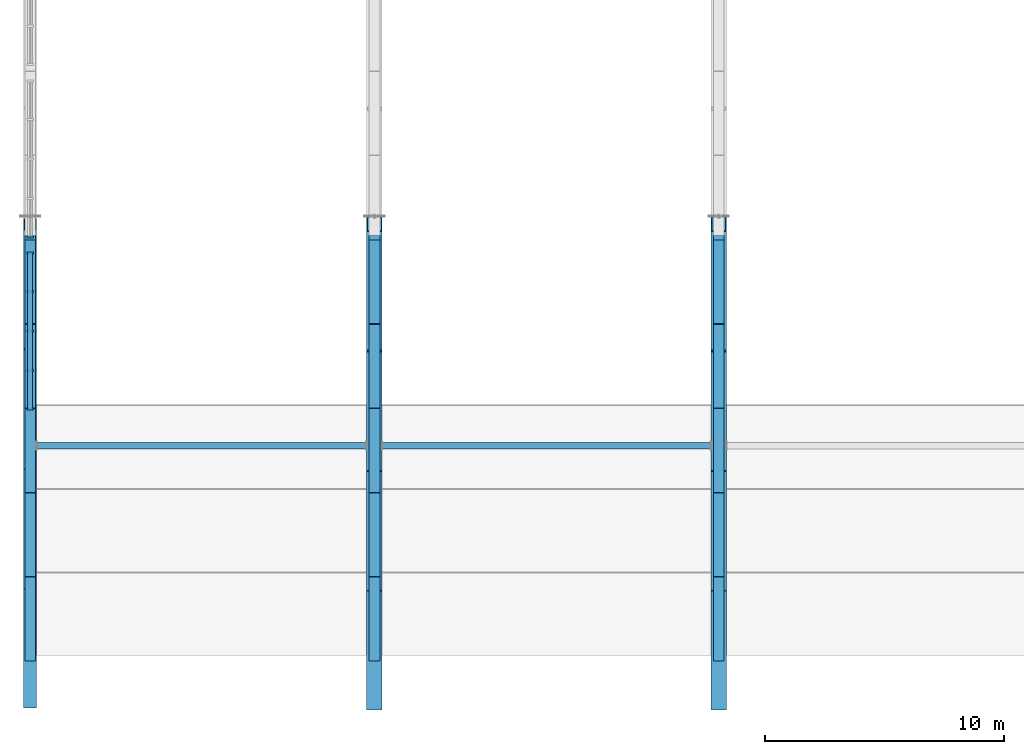
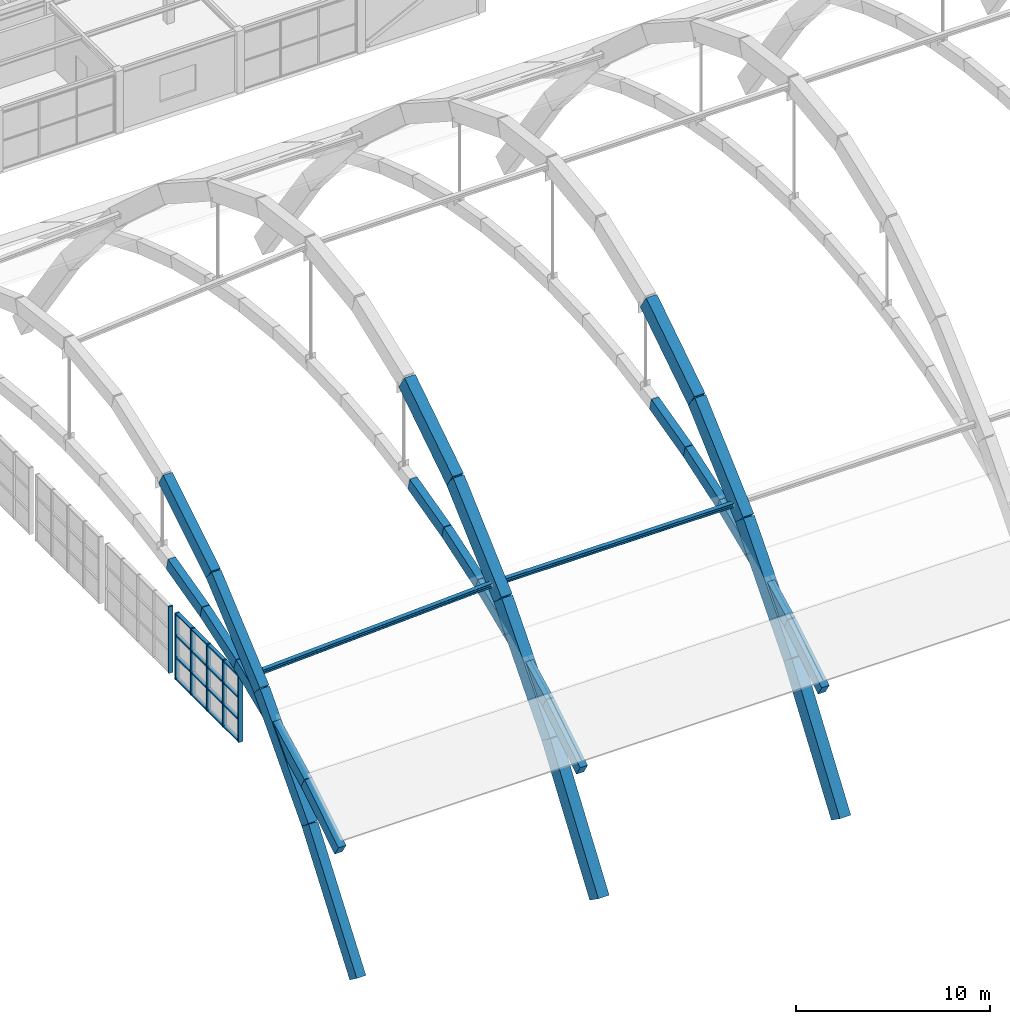
# One storey, part 3 of 64: 24 members, 15 beams, 2 elements without a shape of their own.
"""IFC4 building model written with IfcOpenShell, lengths in metres."""

import ifcopenshell
import ifcopenshell.guid

model = None  # the IFC model being written
_history = None  # IfcOwnerHistory: only IFC2X3 demands one
_inside = {}  # id of a spatial element -> (the spatial element, [elements in it])
_under = {}  # id of a project, library or spatial element -> (it, [spatial elements below it])
_declared = {}  # id of a project -> (the project, [libraries it declares])
_typed = {}  # id of a type object -> (the type object, [elements of that type])
_made_of = {}  # id of a material, layer set ... -> (it, [elements and type objects made of it])


def new_model(schema):
    """Start an empty IFC model of exactly this schema.

    Asked for "IFC4X3", IfcOpenShell would pick the latest addendum, in which some entities
    have other attributes; the version numbers below select the first issue.
    IFC2X3 requires an IfcOwnerHistory on every rooted entity: one is made here for all.
    """
    global model, _history
    if schema == "IFC4X3":
        model = ifcopenshell.file(schema_version=(4, 3, 0, 0))
    else:
        model = ifcopenshell.file(schema=schema)
    _inside.clear()
    _under.clear()
    _declared.clear()
    _typed.clear()
    _made_of.clear()
    _history = None
    if model.schema == "IFC2X3":
        org = make("IfcOrganization", Name="unknown")
        user = make(
            "IfcPersonAndOrganization",
            ThePerson=make("IfcPerson", FamilyName="unknown"),
            TheOrganization=org,
        )
        app = make(
            "IfcApplication",
            ApplicationDeveloper=org,
            Version="unknown",
            ApplicationFullName="unknown",
            ApplicationIdentifier="unknown",
        )
        _history = make(
            "IfcOwnerHistory",
            OwningUser=user,
            OwningApplication=app,
            ChangeAction="ADDED",
            CreationDate=0,
        )
    return model


def make(cls, **values):
    """One entity of the class cls with the attributes given. An attribute that is None is left unset."""
    return model.create_entity(
        cls, **{name: value for name, value in values.items() if value is not None}
    )


def rooted(cls, **values):
    """An entity with a GlobalId (a new one), such as an element, a storey or a relation."""
    return make(cls, GlobalId=ifcopenshell.guid.new(), OwnerHistory=_history, **values)


def si_unit(unit_type, name, prefix=None):
    """IfcSIUnit, for example si_unit("LENGTHUNIT", "METRE", prefix="MILLI")."""
    return make("IfcSIUnit", UnitType=unit_type, Prefix=prefix, Name=name)


def assignment(units):
    """IfcUnitAssignment: the units of a project."""
    return None if units is None else make("IfcUnitAssignment", Units=units)


def point(xyz):
    """IfcCartesianPoint."""
    return None if xyz is None else make("IfcCartesianPoint", Coordinates=xyz)


def direction(xyz):
    """IfcDirection."""
    return None if xyz is None else make("IfcDirection", DirectionRatios=xyz)


def frame(location, z_axis=None, x_axis=None):
    """IfcAxis2Placement3D, a coordinate frame: its origin and axes. An axis left out is left unset."""
    return make(
        "IfcAxis2Placement3D",
        Location=point(location),
        Axis=direction(z_axis),
        RefDirection=direction(x_axis),
    )


def frame_2d(location, x_axis=None):
    """IfcAxis2Placement2D, a coordinate frame in the plane: its origin and x axis."""
    return make(
        "IfcAxis2Placement2D", Location=point(location), RefDirection=direction(x_axis)
    )


def origin():
    """The frame at (0, 0, 0) with its axes left unset."""
    return frame((0.0, 0.0, 0.0))


def origin_2d():
    """The frame at (0, 0) in the plane with its x axis left unset."""
    return frame_2d((0.0, 0.0))


def place(relative_to, where):
    """IfcLocalPlacement: puts the frame where relative to a parent placement (None: the world)."""
    return make(
        "IfcLocalPlacement", PlacementRelTo=relative_to, RelativePlacement=where
    )


def context(
    kind, dimensions, precision=None, world=None, true_north=None, identifier=None
):
    """IfcGeometricRepresentationContext, for example the 3D "Model" context."""
    return make(
        "IfcGeometricRepresentationContext",
        ContextIdentifier=identifier,
        ContextType=kind,
        CoordinateSpaceDimension=dimensions,
        Precision=precision,
        WorldCoordinateSystem=world,
        TrueNorth=true_north,
    )


def subcontext(parent, identifier, kind, view, scale=None):
    """IfcGeometricRepresentationSubContext, for example "Body" below "Model"."""
    return make(
        "IfcGeometricRepresentationSubContext",
        ContextIdentifier=identifier,
        ContextType=kind,
        ParentContext=parent,
        TargetScale=scale,
        TargetView=view,
    )


def project(units=None, contexts=None):
    """IfcProject with its units and contexts."""
    return rooted(
        "IfcProject",
        Name="project",
        RepresentationContexts=contexts,
        UnitsInContext=assignment(units),
    )


def spatial(cls, under=None, at=None, **own):
    """A site, building, storey or space (cls), placed at a placement, below another one or the project."""
    s = rooted(cls, ObjectPlacement=at, **own)
    if under is not None:
        _under.setdefault(under.id(), (under, []))[1].append(s)
    return s


def profile(cls, at=None, kind="AREA", **sizes):
    """A parametric profile (cls). Its sizes go by their IFC names, for example OverallWidth=200.0."""
    return make(cls, ProfileType=kind, Position=at, **sizes)


def rectangle(**sizes):
    """IfcRectangleProfileDef."""
    return profile("IfcRectangleProfileDef", **sizes)


def hollow_rectangle(**sizes):
    """IfcRectangleHollowProfileDef."""
    return profile("IfcRectangleHollowProfileDef", **sizes)


def i_section(**sizes):
    """IfcIShapeProfileDef."""
    return profile("IfcIShapeProfileDef", **sizes)


def extrude(swept, where, along, depth):
    """IfcExtrudedAreaSolid: the profile swept, set in the frame where, extruded along a direction by depth."""
    return make(
        "IfcExtrudedAreaSolid",
        SweptArea=swept,
        Position=where,
        ExtrudedDirection=direction(along),
        Depth=depth,
    )


def shape(context_of_items, identifier, shape_type, items):
    """IfcShapeRepresentation: the items that make up one representation, for example the "Body"."""
    return make(
        "IfcShapeRepresentation",
        ContextOfItems=context_of_items,
        RepresentationIdentifier=identifier,
        RepresentationType=shape_type,
        Items=items,
    )


def material(Name=None, Category=None):
    """IfcMaterial."""
    return make("IfcMaterial", Name=Name, Category=Category)


def material_profile(
    of_material, cross_section, Name=None, Category=None, Priority=None
):
    """IfcMaterialProfile: a cross section and its material."""
    return make(
        "IfcMaterialProfile",
        Name=Name,
        Material=of_material,
        Profile=cross_section,
        Priority=Priority,
        Category=Category,
    )


def profile_set(profiles, Name=None, composite=None):
    """IfcMaterialProfileSet."""
    return make(
        "IfcMaterialProfileSet",
        Name=Name,
        MaterialProfiles=profiles,
        CompositeProfile=composite,
    )


def made_of(thing, what):
    """Note that an element or type object is made of a material, layer set ...; save() writes the relation."""
    if what is not None:
        _made_of.setdefault(what.id(), (what, []))[1].append(thing)
    return thing


def type_object(cls, material=None, **own):
    """A type object (cls), such as IfcWallType, which elements share."""
    return made_of(rooted(cls, **own), material)


def element(
    cls,
    number,
    at=None,
    inside=None,
    cuts=None,
    type_object=None,
    material=None,
    context=None,
    identifier="Body",
    shape_type=None,
    held_by="IfcProductDefinitionShape",
    body=None,
    shapes=None,
    **own,
):
    """One element of the class cls, such as IfcWall. Its Tag is "e" and its number.

    at: its placement. inside: the storey or other place that contains it. cuts: it is an
    opening in that element (IfcRelVoidsElement). A single representation is given by context,
    identifier, shape_type and body (its items); several are given by shapes. held_by: the class
    of the entity that holds the representations. save() writes the other relations.
    """
    e = rooted(cls, Tag="e%d" % number, ObjectPlacement=at, **own)
    if body is not None:
        shapes = [shape(context, identifier, shape_type, body)]
    if shapes is not None:
        e.Representation = make(held_by, Representations=shapes)
    if inside is not None:
        _inside.setdefault(inside.id(), (inside, []))[1].append(e)
    if cuts is not None:
        rooted(
            "IfcRelVoidsElement", RelatingBuildingElement=cuts, RelatedOpeningElement=e
        )
    if type_object is not None:
        _typed.setdefault(type_object.id(), (type_object, []))[1].append(e)
    return made_of(e, material)


def aggregate(whole, parts):
    """IfcRelAggregates: a whole, such as a stair, and the parts it consists of."""
    return rooted("IfcRelAggregates", RelatingObject=whole, RelatedObjects=parts)


def save(model, path):
    """Write the relations noted so far, then the file.

    IfcRelAggregates (storeys below a building ...), IfcRelContainedInSpatialStructure (elements
    in a storey), IfcRelDefinesByType, IfcRelAssociatesMaterial and IfcRelDeclares: one each for
    every whole, place, type object, material and project.
    """
    for whole, parts in _under.values():
        aggregate(whole, parts)
    for where, things in _inside.values():
        rooted(
            "IfcRelContainedInSpatialStructure",
            RelatedElements=things,
            RelatingStructure=where,
        )
    for kind, things in _typed.values():
        rooted("IfcRelDefinesByType", RelatedObjects=things, RelatingType=kind)
    for what, things in _made_of.values():
        rooted("IfcRelAssociatesMaterial", RelatedObjects=things, RelatingMaterial=what)
    for by, libraries in _declared.values():
        rooted("IfcRelDeclares", RelatingContext=by, RelatedDefinitions=libraries)
    model.write(path)


model = new_model("IFC4")

# Units and contexts
model_context = context("Model", 3, precision=1e-05, world=origin(), true_north=direction((0.0, 1.0)))
body_context = subcontext(model_context, "Body", "Model", "MODEL_VIEW")
ifc_project = project(units=[si_unit("LENGTHUNIT", "METRE"), si_unit("AREAUNIT", "SQUARE_METRE"), si_unit("VOLUMEUNIT", "CUBIC_METRE"), si_unit("PLANEANGLEUNIT", "RADIAN"), si_unit("MASSUNIT", "GRAM", prefix="KILO")], contexts=[model_context])

# Site, building, storey
site_placement = place(None, origin())
site = spatial("IfcSite", under=ifc_project, at=site_placement, CompositionType="ELEMENT")
building_placement = place(site_placement, origin())
building = spatial("IfcBuilding", under=site, at=building_placement, Name="Leyfeld Transit Interchange", CompositionType="ELEMENT")
storey_placement = place(building_placement, frame((0.0, 0.0, 9.60009765625)))
storey = spatial("IfcBuildingStorey", under=building, at=storey_placement, Name="L02", CompositionType="ELEMENT", Elevation=9.60009765625)

# Beams
ifc_material_1 = material(Name="Concrete C40/50", Category="concrete")
ifc_material_profile_1 = material_profile(ifc_material_1, rectangle(XDim=0.449951171875, YDim=0.75, at=origin_2d()), Name="RC 750x450 RIB")
ifc_profile_set_1 = profile_set([ifc_material_profile_1], Name="Concrete C40/50")
beam_type = type_object("IfcBeamType", Name="BM-RIB-750x450", PredefinedType="USERDEFINED", material=ifc_profile_set_1)
beam_1_placement = place(storey_placement, frame((0.0, 4.39990234375, -1.135009765625), z_axis=(0.0, 0.850840137882, 0.525424647089), x_axis=(-1.0, 0.0, 0.0)))
element("IfcBeam", 1, at=beam_1_placement, inside=storey, type_object=beam_type, Name="Concourse Vault Rib A1 Seg 1", ObjectType="ARCH_RIB", PredefinedType="USERDEFINED", context=body_context, shape_type="SweptSolid", body=[
    extrude(rectangle(XDim=0.449951171875, YDim=0.75, at=origin_2d()), origin(), (0.0, 0.0, 1.0), 4.113525390625),
])
beam_2_placement = place(storey_placement, frame((0.0, 7.89990234375, 1.0263671875), z_axis=(0.0, 0.890316086289, 0.455343020694), x_axis=(-1.0, 0.0, 0.0)))
element("IfcBeam", 2, at=beam_2_placement, inside=storey, type_object=beam_type, Name="Concourse Vault Rib A1 Seg 2", ObjectType="ARCH_RIB", PredefinedType="USERDEFINED", context=body_context, shape_type="SweptSolid", body=[
    extrude(rectangle(XDim=0.449951171875, YDim=0.75, at=origin_2d()), origin(), (0.0, 0.0, 1.0), 3.93115234375),
])
beam_3_placement = place(storey_placement, frame((0.0, 11.39990234375, 2.81640625), z_axis=(0.0, 0.922787193718, 0.385309998716), x_axis=(-1.0, 0.0, 0.0)))
element("IfcBeam", 3, at=beam_3_placement, inside=storey, type_object=beam_type, Name="Concourse Vault Rib A1 Seg 3", ObjectType="ARCH_RIB", PredefinedType="USERDEFINED", context=body_context, shape_type="SweptSolid", body=[
    extrude(rectangle(XDim=0.449951171875, YDim=0.75, at=origin_2d()), origin(), (0.0, 0.0, 1.0), 3.79296875),
])
beam_4_placement = place(storey_placement, frame((0.0, 14.89990234375, 4.27783203125), z_axis=(0.0, 0.949033570575, 0.315175002058), x_axis=(-1.0, 0.0, 0.0)))
element("IfcBeam", 4, at=beam_4_placement, inside=storey, type_object=beam_type, Name="Concourse Vault Rib A1 Seg 4", ObjectType="ARCH_RIB", PredefinedType="USERDEFINED", context=body_context, shape_type="SweptSolid", body=[
    extrude(rectangle(XDim=0.449951171875, YDim=0.75, at=origin_2d()), origin(), (0.0, 0.0, 1.0), 3.68798828125),
])
beam_5_placement = place(storey_placement, frame((0.0, 18.39990234375, 5.440185546875), z_axis=(0.0, 0.969486598247, 0.245144316312), x_axis=(-1.0, 0.0, 0.0)))
element("IfcBeam", 5, at=beam_5_placement, inside=storey, type_object=beam_type, Name="Concourse Vault Rib A1 Seg 5", ObjectType="ARCH_RIB", PredefinedType="USERDEFINED", context=body_context, shape_type="SweptSolid", body=[
    extrude(rectangle(XDim=0.449951171875, YDim=0.75, at=origin_2d()), origin(), (0.0, 0.0, 1.0), 3.610107421875),
])
beam_6_placement = place(storey_placement, frame((14.39990234375, 4.39990234375, -1.135009765625), z_axis=(0.0, 0.850840137882, 0.525424647089), x_axis=(-1.0, 0.0, 0.0)))
element("IfcBeam", 6, at=beam_6_placement, inside=storey, type_object=beam_type, Name="Concourse Vault Rib A2 Seg 1", ObjectType="ARCH_RIB", PredefinedType="USERDEFINED", context=body_context, shape_type="SweptSolid", body=[
    extrude(rectangle(XDim=0.449951171875, YDim=0.75, at=origin_2d()), origin(), (0.0, 0.0, 1.0), 4.113525390625),
])
beam_7_placement = place(storey_placement, frame((14.39990234375, 7.89990234375, 1.0263671875), z_axis=(0.0, 0.890316086289, 0.455343020694), x_axis=(-1.0, 0.0, 0.0)))
element("IfcBeam", 7, at=beam_7_placement, inside=storey, type_object=beam_type, Name="Concourse Vault Rib A2 Seg 2", ObjectType="ARCH_RIB", PredefinedType="USERDEFINED", context=body_context, shape_type="SweptSolid", body=[
    extrude(rectangle(XDim=0.449951171875, YDim=0.75, at=origin_2d()), origin(), (0.0, 0.0, 1.0), 3.93115234375),
])
beam_8_placement = place(storey_placement, frame((14.39990234375, 11.39990234375, 2.81640625), z_axis=(0.0, 0.922787193718, 0.385309998716), x_axis=(-1.0, 0.0, 0.0)))
element("IfcBeam", 8, at=beam_8_placement, inside=storey, type_object=beam_type, Name="Concourse Vault Rib A2 Seg 3", ObjectType="ARCH_RIB", PredefinedType="USERDEFINED", context=body_context, shape_type="SweptSolid", body=[
    extrude(rectangle(XDim=0.449951171875, YDim=0.75, at=origin_2d()), origin(), (0.0, 0.0, 1.0), 3.79296875),
])
beam_9_placement = place(storey_placement, frame((14.39990234375, 14.89990234375, 4.27783203125), z_axis=(0.0, 0.949033570575, 0.315175002058), x_axis=(-1.0, 0.0, 0.0)))
element("IfcBeam", 9, at=beam_9_placement, inside=storey, type_object=beam_type, Name="Concourse Vault Rib A2 Seg 4", ObjectType="ARCH_RIB", PredefinedType="USERDEFINED", context=body_context, shape_type="SweptSolid", body=[
    extrude(rectangle(XDim=0.449951171875, YDim=0.75, at=origin_2d()), origin(), (0.0, 0.0, 1.0), 3.68798828125),
])
beam_10_placement = place(storey_placement, frame((14.39990234375, 18.39990234375, 5.440185546875), z_axis=(0.0, 0.969486598247, 0.245144316312), x_axis=(-1.0, 0.0, 0.0)))
element("IfcBeam", 10, at=beam_10_placement, inside=storey, type_object=beam_type, Name="Concourse Vault Rib A2 Seg 5", ObjectType="ARCH_RIB", PredefinedType="USERDEFINED", context=body_context, shape_type="SweptSolid", body=[
    extrude(rectangle(XDim=0.449951171875, YDim=0.75, at=origin_2d()), origin(), (0.0, 0.0, 1.0), 3.610107421875),
])
beam_11_placement = place(storey_placement, frame((28.800048828125, 4.39990234375, -1.135009765625), z_axis=(0.0, 0.850840137882, 0.525424647089), x_axis=(-1.0, 0.0, 0.0)))
element("IfcBeam", 11, at=beam_11_placement, inside=storey, type_object=beam_type, Name="Concourse Vault Rib A3 Seg 1", ObjectType="ARCH_RIB", PredefinedType="USERDEFINED", context=body_context, shape_type="SweptSolid", body=[
    extrude(rectangle(XDim=0.449951171875, YDim=0.75, at=origin_2d()), origin(), (0.0, 0.0, 1.0), 4.113525390625),
])
beam_12_placement = place(storey_placement, frame((28.800048828125, 7.89990234375, 1.0263671875), z_axis=(0.0, 0.890316086289, 0.455343020694), x_axis=(-1.0, 0.0, 0.0)))
element("IfcBeam", 12, at=beam_12_placement, inside=storey, type_object=beam_type, Name="Concourse Vault Rib A3 Seg 2", ObjectType="ARCH_RIB", PredefinedType="USERDEFINED", context=body_context, shape_type="SweptSolid", body=[
    extrude(rectangle(XDim=0.449951171875, YDim=0.75, at=origin_2d()), origin(), (0.0, 0.0, 1.0), 3.93115234375),
])
beam_13_placement = place(storey_placement, frame((28.800048828125, 11.39990234375, 2.81640625), z_axis=(0.0, 0.922787193718, 0.385309998716), x_axis=(-1.0, 0.0, 0.0)))
element("IfcBeam", 13, at=beam_13_placement, inside=storey, type_object=beam_type, Name="Concourse Vault Rib A3 Seg 3", ObjectType="ARCH_RIB", PredefinedType="USERDEFINED", context=body_context, shape_type="SweptSolid", body=[
    extrude(rectangle(XDim=0.449951171875, YDim=0.75, at=origin_2d()), origin(), (0.0, 0.0, 1.0), 3.79296875),
])
beam_14_placement = place(storey_placement, frame((28.800048828125, 14.89990234375, 4.27783203125), z_axis=(0.0, 0.949033570575, 0.315175002058), x_axis=(-1.0, 0.0, 0.0)))
element("IfcBeam", 14, at=beam_14_placement, inside=storey, type_object=beam_type, Name="Concourse Vault Rib A3 Seg 4", ObjectType="ARCH_RIB", PredefinedType="USERDEFINED", context=body_context, shape_type="SweptSolid", body=[
    extrude(rectangle(XDim=0.449951171875, YDim=0.75, at=origin_2d()), origin(), (0.0, 0.0, 1.0), 3.68798828125),
])
beam_15_placement = place(storey_placement, frame((28.800048828125, 18.39990234375, 5.440185546875), z_axis=(0.0, 0.969486598247, 0.245144316312), x_axis=(-1.0, 0.0, 0.0)))
element("IfcBeam", 15, at=beam_15_placement, inside=storey, type_object=beam_type, Name="Concourse Vault Rib A3 Seg 5", ObjectType="ARCH_RIB", PredefinedType="USERDEFINED", context=body_context, shape_type="SweptSolid", body=[
    extrude(rectangle(XDim=0.449951171875, YDim=0.75, at=origin_2d()), origin(), (0.0, 0.0, 1.0), 3.610107421875),
])

# Curtain wall, members
ifc_material_2 = material(Name="Anodised aluminium EN AW-6060 T66", Category="aluminium")
curtain_wall_type = type_object("IfcCurtainWallType", Name="CW-SYS-GAB-7200", PredefinedType="NOTDEFINED", material=ifc_material_2)
curtain_wall_1_placement = place(storey_placement, origin())
curtain_wall_1 = element("IfcCurtainWall", 16, at=curtain_wall_1_placement, inside=storey, type_object=curtain_wall_type, Name="Curtain Wall CW-L02-GABW-01", PredefinedType="NOTDEFINED")
ifc_material_profile_2 = material_profile(ifc_material_2, rectangle(XDim=0.0849609375, YDim=0.260009765625, at=origin_2d()), Name="CW-M 85x260")
ifc_profile_set_2 = profile_set([ifc_material_profile_2], Name="Anodised aluminium EN AW-6060 T66")
member_type_1 = type_object("IfcMemberType", Name="CW-MUL-220x80", PredefinedType="MULLION", material=ifc_profile_set_2)
member_1_placement = place(storey_placement, frame((0.0, 14.742431640625, -0.60009765625), z_axis=(0.0, 0.0, 1.0), x_axis=(0.0, 1.0, 0.0)))
member_1 = element("IfcMember", 17, at=member_1_placement, type_object=member_type_1, Name="Curtain Mullion CW-L02-GABW-01-M01", PredefinedType="MULLION", context=body_context, shape_type="SweptSolid", body=[
    extrude(rectangle(XDim=0.0849609375, YDim=0.260009765625, at=origin_2d()), origin(), (0.0, 0.0, 1.0), 4.199951171875),
])
member_2_placement = place(storey_placement, frame((0.0, 16.35009765625, -0.60009765625), z_axis=(0.0, 0.0, 1.0), x_axis=(0.0, 1.0, 0.0)))
member_2 = element("IfcMember", 18, at=member_2_placement, type_object=member_type_1, Name="Curtain Mullion CW-L02-GABW-01-M02", PredefinedType="MULLION", context=body_context, shape_type="SweptSolid", body=[
    extrude(rectangle(XDim=0.0849609375, YDim=0.260009765625, at=origin_2d()), origin(), (0.0, 0.0, 1.0), 4.199951171875),
])
member_3_placement = place(storey_placement, frame((0.0, 18.0, -0.60009765625), z_axis=(0.0, 0.0, 1.0), x_axis=(0.0, 1.0, 0.0)))
member_3 = element("IfcMember", 19, at=member_3_placement, type_object=member_type_1, Name="Curtain Mullion CW-L02-GABW-01-M03", PredefinedType="MULLION", context=body_context, shape_type="SweptSolid", body=[
    extrude(rectangle(XDim=0.0849609375, YDim=0.260009765625, at=origin_2d()), origin(), (0.0, 0.0, 1.0), 4.199951171875),
])
member_4_placement = place(storey_placement, frame((0.0, 19.64990234375, -0.60009765625), z_axis=(0.0, 0.0, 1.0), x_axis=(0.0, 1.0, 0.0)))
member_4 = element("IfcMember", 20, at=member_4_placement, type_object=member_type_1, Name="Curtain Mullion CW-L02-GABW-01-M04", PredefinedType="MULLION", context=body_context, shape_type="SweptSolid", body=[
    extrude(rectangle(XDim=0.0849609375, YDim=0.260009765625, at=origin_2d()), origin(), (0.0, 0.0, 1.0), 4.199951171875),
])
member_5_placement = place(storey_placement, frame((0.0, 21.257568359375, -0.60009765625), z_axis=(0.0, 0.0, 1.0), x_axis=(0.0, 1.0, 0.0)))
member_5 = element("IfcMember", 21, at=member_5_placement, type_object=member_type_1, Name="Curtain Mullion CW-L02-GABW-01-M05", PredefinedType="MULLION", context=body_context, shape_type="SweptSolid", body=[
    extrude(rectangle(XDim=0.0849609375, YDim=0.260009765625, at=origin_2d()), origin(), (0.0, 0.0, 1.0), 4.199951171875),
])

# Curtain wall, member
curtain_wall_2_placement = place(storey_placement, origin())
curtain_wall_2 = element("IfcCurtainWall", 22, at=curtain_wall_2_placement, inside=storey, type_object=curtain_wall_type, Name="Curtain Wall CW-L02-GABW-02", PredefinedType="NOTDEFINED")
member_6_placement = place(storey_placement, frame((0.0, 21.9423828125, -0.60009765625), z_axis=(0.0, 0.0, 1.0), x_axis=(0.0, 1.0, 0.0)))
member_6 = element("IfcMember", 23, at=member_6_placement, type_object=member_type_1, Name="Curtain Mullion CW-L02-GABW-02-M01", PredefinedType="MULLION", context=body_context, shape_type="SweptSolid", body=[
    extrude(rectangle(XDim=0.0849609375, YDim=0.260009765625, at=origin_2d()), origin(), (0.0, 0.0, 1.0), 4.199951171875),
])
aggregate(curtain_wall_2, [member_6])

# Member
ifc_material_profile_3 = material_profile(ifc_material_2, rectangle(XDim=0.2099609375, YDim=0.0849609375, at=origin_2d()), Name="CW-TRN-200x80")
ifc_profile_set_3 = profile_set([ifc_material_profile_3], Name="Anodised aluminium EN AW-6060 T66")
member_type_2 = type_object("IfcMemberType", Name="CW-TRN-200x80", PredefinedType="USERDEFINED", material=ifc_profile_set_3)
member_7_placement = place(storey_placement, frame((0.0, 14.699951171875, -0.5576171875), z_axis=(0.0, 1.0, 0.0), x_axis=(-1.0, 0.0, 0.0)))
member_7 = element("IfcMember", 24, at=member_7_placement, type_object=member_type_2, Name="Curtain Transom CW-L02-GABW-01-T01", ObjectType="TRANSOM", PredefinedType="USERDEFINED", context=body_context, shape_type="SweptSolid", body=[
    extrude(rectangle(XDim=0.2099609375, YDim=0.0849609375, at=origin_2d()), origin(), (0.0, 0.0, 1.0), 6.60009765625),
])

member_8_placement = place(storey_placement, frame((0.0, 14.699951171875, 0.814208984375), z_axis=(0.0, 1.0, 0.0), x_axis=(-1.0, 0.0, 0.0)))
member_8 = element("IfcMember", 25, at=member_8_placement, type_object=member_type_2, Name="Curtain Transom CW-L02-GABW-01-T02", ObjectType="TRANSOM", PredefinedType="USERDEFINED", context=body_context, shape_type="SweptSolid", body=[
    extrude(rectangle(XDim=0.2099609375, YDim=0.0849609375, at=origin_2d()), origin(), (0.0, 0.0, 1.0), 6.60009765625),
])

member_9_placement = place(storey_placement, frame((0.0, 14.699951171875, 2.185791015625), z_axis=(0.0, 1.0, 0.0), x_axis=(-1.0, 0.0, 0.0)))
member_9 = element("IfcMember", 26, at=member_9_placement, type_object=member_type_2, Name="Curtain Transom CW-L02-GABW-01-T03", ObjectType="TRANSOM", PredefinedType="USERDEFINED", context=body_context, shape_type="SweptSolid", body=[
    extrude(rectangle(XDim=0.2099609375, YDim=0.0849609375, at=origin_2d()), origin(), (0.0, 0.0, 1.0), 6.60009765625),
])

member_10_placement = place(storey_placement, frame((0.0, 14.699951171875, 3.557373046875), z_axis=(0.0, 1.0, 0.0), x_axis=(-1.0, 0.0, 0.0)))
member_10 = element("IfcMember", 27, at=member_10_placement, type_object=member_type_2, Name="Curtain Transom CW-L02-GABW-01-T04", ObjectType="TRANSOM", PredefinedType="USERDEFINED", context=body_context, shape_type="SweptSolid", body=[
    extrude(rectangle(XDim=0.2099609375, YDim=0.0849609375, at=origin_2d()), origin(), (0.0, 0.0, 1.0), 6.60009765625),
])

aggregate(curtain_wall_1, [member_1, member_2, member_3, member_4, member_5, member_7, member_8, member_9, member_10])

# Members
ifc_material_3 = material(Name="Steel S355J2 - Ochre Arch", Category="steel")
ifc_material_profile_4 = material_profile(ifc_material_3, hollow_rectangle(XDim=0.64990234375, YDim=1.10009765625, WallThickness=0.035888671875, at=origin_2d()), Name="RHS 1100x650x36")
ifc_profile_set_4 = profile_set([ifc_material_profile_4], Name="Steel S355J2 - Ochre Arch")
member_type_3 = type_object("IfcMemberType", Name="MEM-ARCH-1100", PredefinedType="USERDEFINED", material=ifc_profile_set_4)
member_11_placement = place(storey_placement, frame((14.39990234375, 2.60009765625, -8.10009765625), z_axis=(0.0, 0.575459771691, 0.817830086977), x_axis=(-1.0, 0.0, 0.0)))
element("IfcMember", 28, at=member_11_placement, inside=storey, type_object=member_type_3, Name="Primary Steel Arch AR-01 Seg 1", ObjectType="ARCH_SEGMENT", PredefinedType="USERDEFINED", context=body_context, shape_type="SweptSolid", body=[
    extrude(hollow_rectangle(XDim=0.64990234375, YDim=1.10009765625, WallThickness=0.035888671875, at=origin_2d()), origin(), (0.0, 0.0, 1.0), 8.630615234375),
])
member_12_placement = place(storey_placement, frame((14.39990234375, 7.566650390625, -1.041748046875), z_axis=(0.0, 0.652049586975, 0.758176322583), x_axis=(-1.0, 0.0, 0.0)))
element("IfcMember", 29, at=member_12_placement, inside=storey, type_object=member_type_3, Name="Primary Steel Arch AR-01 Seg 2", ObjectType="ARCH_SEGMENT", PredefinedType="USERDEFINED", context=body_context, shape_type="SweptSolid", body=[
    extrude(hollow_rectangle(XDim=0.64990234375, YDim=1.10009765625, WallThickness=0.035888671875, at=origin_2d()), origin(), (0.0, 0.0, 1.0), 7.616943359375),
])
member_13_placement = place(storey_placement, frame((14.39990234375, 12.533203125, 4.733154296875), z_axis=(0.0, 0.741689498997, 0.670743383924), x_axis=(-1.0, 0.0, 0.0)))
element("IfcMember", 30, at=member_13_placement, inside=storey, type_object=member_type_3, Name="Primary Steel Arch AR-01 Seg 3", ObjectType="ARCH_SEGMENT", PredefinedType="USERDEFINED", context=body_context, shape_type="SweptSolid", body=[
    extrude(hollow_rectangle(XDim=0.64990234375, YDim=1.10009765625, WallThickness=0.035888671875, at=origin_2d()), origin(), (0.0, 0.0, 1.0), 6.696533203125),
])
member_14_placement = place(storey_placement, frame((14.39990234375, 17.5, 9.224853515625), z_axis=(0.0, 0.839979785282, 0.542617692596), x_axis=(-1.0, 0.0, 0.0)))
element("IfcMember", 31, at=member_14_placement, inside=storey, type_object=member_type_3, Name="Primary Steel Arch AR-01 Seg 4", ObjectType="ARCH_SEGMENT", PredefinedType="USERDEFINED", context=body_context, shape_type="SweptSolid", body=[
    extrude(hollow_rectangle(XDim=0.64990234375, YDim=1.10009765625, WallThickness=0.035888671875, at=origin_2d()), origin(), (0.0, 0.0, 1.0), 5.9130859375),
])
member_15_placement = place(storey_placement, frame((28.800048828125, 2.60009765625, -8.10009765625), z_axis=(0.0, 0.575459771691, 0.817830086977), x_axis=(-1.0, 0.0, 0.0)))
element("IfcMember", 32, at=member_15_placement, inside=storey, type_object=member_type_3, Name="Primary Steel Arch AR-02 Seg 1", ObjectType="ARCH_SEGMENT", PredefinedType="USERDEFINED", context=body_context, shape_type="SweptSolid", body=[
    extrude(hollow_rectangle(XDim=0.64990234375, YDim=1.10009765625, WallThickness=0.035888671875, at=origin_2d()), origin(), (0.0, 0.0, 1.0), 8.630615234375),
])
member_16_placement = place(storey_placement, frame((28.800048828125, 7.566650390625, -1.041748046875), z_axis=(0.0, 0.652049586975, 0.758176322583), x_axis=(-1.0, 0.0, 0.0)))
element("IfcMember", 33, at=member_16_placement, inside=storey, type_object=member_type_3, Name="Primary Steel Arch AR-02 Seg 2", ObjectType="ARCH_SEGMENT", PredefinedType="USERDEFINED", context=body_context, shape_type="SweptSolid", body=[
    extrude(hollow_rectangle(XDim=0.64990234375, YDim=1.10009765625, WallThickness=0.035888671875, at=origin_2d()), origin(), (0.0, 0.0, 1.0), 7.616943359375),
])
member_17_placement = place(storey_placement, frame((28.800048828125, 12.533203125, 4.733154296875), z_axis=(0.0, 0.741689498997, 0.670743383924), x_axis=(-1.0, 0.0, 0.0)))
element("IfcMember", 34, at=member_17_placement, inside=storey, type_object=member_type_3, Name="Primary Steel Arch AR-02 Seg 3", ObjectType="ARCH_SEGMENT", PredefinedType="USERDEFINED", context=body_context, shape_type="SweptSolid", body=[
    extrude(hollow_rectangle(XDim=0.64990234375, YDim=1.10009765625, WallThickness=0.035888671875, at=origin_2d()), origin(), (0.0, 0.0, 1.0), 6.696533203125),
])
member_18_placement = place(storey_placement, frame((28.800048828125, 17.5, 9.224853515625), z_axis=(0.0, 0.839979785282, 0.542617692596), x_axis=(-1.0, 0.0, 0.0)))
element("IfcMember", 35, at=member_18_placement, inside=storey, type_object=member_type_3, Name="Primary Steel Arch AR-02 Seg 4", ObjectType="ARCH_SEGMENT", PredefinedType="USERDEFINED", context=body_context, shape_type="SweptSolid", body=[
    extrude(hollow_rectangle(XDim=0.64990234375, YDim=1.10009765625, WallThickness=0.035888671875, at=origin_2d()), origin(), (0.0, 0.0, 1.0), 5.9130859375),
])
ifc_material_profile_5 = material_profile(ifc_material_3, hollow_rectangle(XDim=0.550048828125, YDim=0.89990234375, WallThickness=0.031982421875, at=origin_2d()), Name="RHS 900x550x32")
ifc_profile_set_5 = profile_set([ifc_material_profile_5], Name="Steel S355J2 - Ochre Arch")
member_type_4 = type_object("IfcMemberType", Name="MEM-ARCH-900", PredefinedType="USERDEFINED", material=ifc_profile_set_5)
member_19_placement = place(storey_placement, frame((0.0, 2.60009765625, -8.10009765625), z_axis=(0.0, 0.595984669324, 0.802995811901), x_axis=(-1.0, 0.0, 0.0)))
element("IfcMember", 36, at=member_19_placement, inside=storey, type_object=member_type_4, Name="Primary Steel Arch GP-W Seg 1", ObjectType="ARCH_SEGMENT", PredefinedType="USERDEFINED", context=body_context, shape_type="SweptSolid", body=[
    extrude(hollow_rectangle(XDim=0.550048828125, YDim=0.89990234375, WallThickness=0.031982421875, at=origin_2d()), origin(), (0.0, 0.0, 1.0), 8.333251953125),
])
member_20_placement = place(storey_placement, frame((0.0, 7.566650390625, -1.408447265625), z_axis=(0.0, 0.671888263197, 0.740652524318), x_axis=(-1.0, 0.0, 0.0)))
element("IfcMember", 37, at=member_20_placement, inside=storey, type_object=member_type_4, Name="Primary Steel Arch GP-W Seg 2", ObjectType="ARCH_SEGMENT", PredefinedType="USERDEFINED", context=body_context, shape_type="SweptSolid", body=[
    extrude(hollow_rectangle(XDim=0.550048828125, YDim=0.89990234375, WallThickness=0.031982421875, at=origin_2d()), origin(), (0.0, 0.0, 1.0), 7.391845703125),
])
member_21_placement = place(storey_placement, frame((0.0, 12.533203125, 4.06640625), z_axis=(0.0, 0.759159132928, 0.650905070569), x_axis=(-1.0, 0.0, 0.0)))
element("IfcMember", 38, at=member_21_placement, inside=storey, type_object=member_type_4, Name="Primary Steel Arch GP-W Seg 3", ObjectType="ARCH_SEGMENT", PredefinedType="USERDEFINED", context=body_context, shape_type="SweptSolid", body=[
    extrude(hollow_rectangle(XDim=0.550048828125, YDim=0.89990234375, WallThickness=0.031982421875, at=origin_2d()), origin(), (0.0, 0.0, 1.0), 6.54248046875),
])
member_22_placement = place(storey_placement, frame((0.0, 17.5, 8.324951171875), z_axis=(0.0, 0.852786153257, 0.522260257738), x_axis=(-1.0, 0.0, 0.0)))
element("IfcMember", 39, at=member_22_placement, inside=storey, type_object=member_type_4, Name="Primary Steel Arch GP-W Seg 4", ObjectType="ARCH_SEGMENT", PredefinedType="USERDEFINED", context=body_context, shape_type="SweptSolid", body=[
    extrude(hollow_rectangle(XDim=0.550048828125, YDim=0.89990234375, WallThickness=0.031982421875, at=origin_2d()), origin(), (0.0, 0.0, 1.0), 5.82421875),
])
ifc_material_4 = material(Name="Steel S355J2", Category="steel")
ifc_material_profile_6 = material_profile(ifc_material_4, i_section(OverallWidth=0.260009765625, OverallDepth=0.260009765625, WebThickness=0.010009765625, FlangeThickness=0.017578125, FilletRadius=0.02392578125, at=origin_2d()), Name="HEB 260")
ifc_profile_set_6 = profile_set([ifc_material_profile_6], Name="Steel S355J2")
member_type_5 = type_object("IfcMemberType", Name="MEM-CHD-HEB260", PredefinedType="CHORD", material=ifc_profile_set_6)
member_23_placement = place(storey_placement, frame((0.27490234375, 13.199951171875, 4.63818359375), z_axis=(0.998723311739, 0.0, 0.050514815538), x_axis=(0.0, 1.0, 0.0)))
element("IfcMember", 40, at=member_23_placement, inside=storey, type_object=member_type_5, Name="Arch Longitudinal Tie Chord B1 T1", PredefinedType="CHORD", context=body_context, shape_type="SweptSolid", body=[
    extrude(i_section(OverallWidth=0.260009765625, OverallDepth=0.260009765625, WebThickness=0.010009765625, FlangeThickness=0.017578125, FilletRadius=0.02392578125, at=origin_2d()), origin(), (0.0, 0.0, 1.0), 13.817626953125),
])
member_24_placement = place(storey_placement, frame((14.72509765625, 13.199951171875, 5.336181640625), z_axis=(1.0, 0.0, 0.0), x_axis=(0.0, 1.0, 0.0)))
element("IfcMember", 41, at=member_24_placement, inside=storey, type_object=member_type_5, Name="Arch Longitudinal Tie Chord B2 T1", PredefinedType="CHORD", context=body_context, shape_type="SweptSolid", body=[
    extrude(i_section(OverallWidth=0.260009765625, OverallDepth=0.260009765625, WebThickness=0.010009765625, FlangeThickness=0.017578125, FilletRadius=0.02392578125, at=origin_2d()), origin(), (0.0, 0.0, 1.0), 13.75),
])

save(model, "model.ifc")
